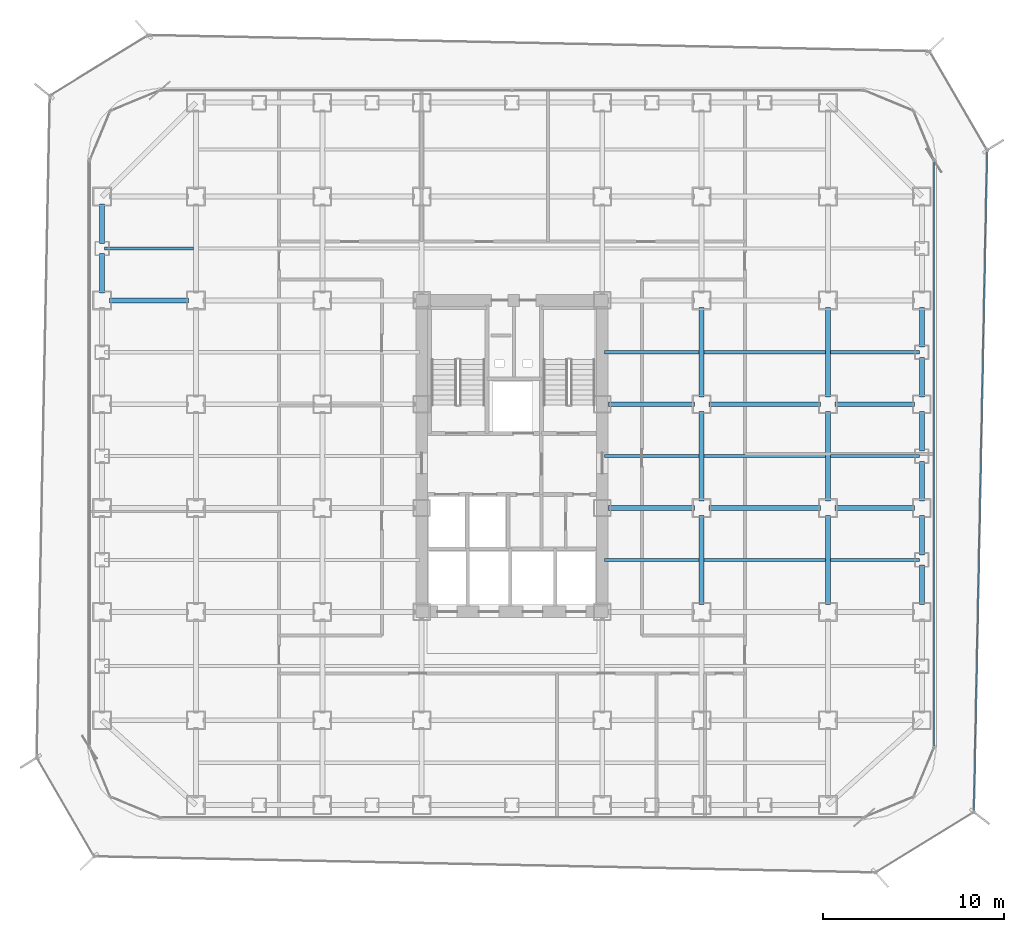
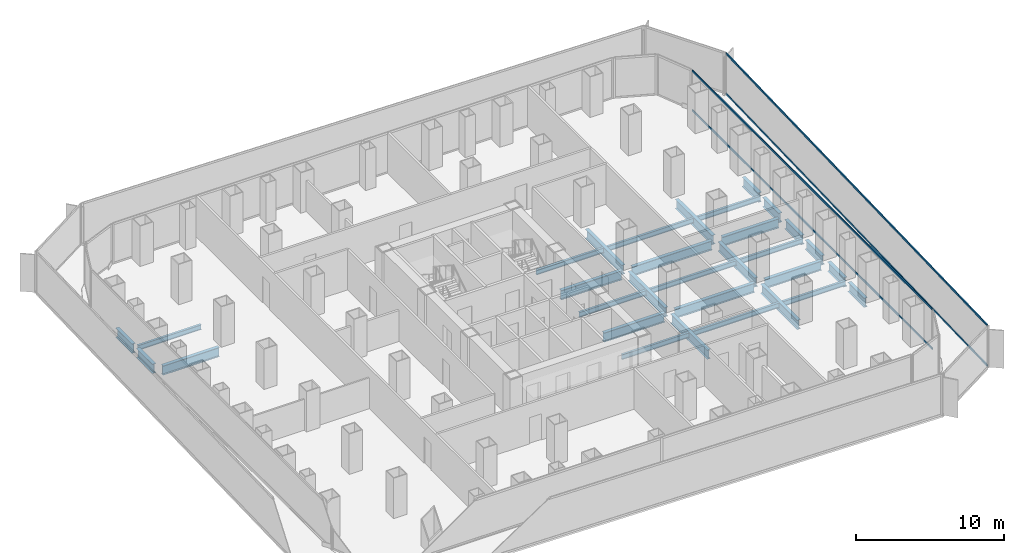
# One storey, part 9 of 21: 31 beams, 4 members, 2 elements without a shape of their own.
"""IFC4 building model written with IfcOpenShell, lengths in metres."""

from ifc_helpers import new_model, si_unit, direction, frame, origin, origin_2d, place, context, subcontext, project, spatial, hollow_rectangle, i_section, extrude, source, transform, mapped, material, layer, layer_set, material_profile, profile_set, type_object, element, aggregate, save


model = new_model("IFC4")

# Units and contexts
model_context = context("Model", 3, precision=1e-05, world=origin(), true_north=direction((0.0, 1.0)))
body_context = subcontext(model_context, "Body", "Model", "MODEL_VIEW")
ifc_project = project(units=[si_unit("LENGTHUNIT", "METRE"), si_unit("AREAUNIT", "SQUARE_METRE"), si_unit("VOLUMEUNIT", "CUBIC_METRE"), si_unit("PLANEANGLEUNIT", "RADIAN"), si_unit("MASSUNIT", "GRAM", prefix="KILO")], contexts=[model_context])

# Site, building, storey
site_placement = place(None, origin())
site = spatial("IfcSite", under=ifc_project, at=site_placement, CompositionType="ELEMENT")
building_placement = place(site_placement, origin())
building = spatial("IfcBuilding", under=site, at=building_placement, Name="Kolveth Station Tower", CompositionType="ELEMENT")
storey_placement = place(building_placement, frame((0.0, 0.0, 44.10009765625)))
storey = spatial("IfcBuildingStorey", under=building, at=storey_placement, Name="L11", CompositionType="ELEMENT", Elevation=44.10009765625)

# Beams
ifc_material_1 = material(Name="Steel S355", Category="steel")
ifc_material_profile_1 = material_profile(ifc_material_1, i_section(OverallWidth=0.26904296875, OverallDepth=0.77490234375, WebThickness=0.01708984375, FlangeThickness=0.0283203125, at=origin_2d()), Name="W760x220")
ifc_profile_set_1 = profile_set([ifc_material_profile_1], Name="Steel S355")
beam_type_1 = type_object("IfcBeamType", Name="Beam_SP1", PredefinedType="SPANDREL", material=ifc_profile_set_1)
shared_shape_1 = source(origin(), body_context, "Body", "SweptSolid", [
    extrude(i_section(OverallWidth=0.26904296875, OverallDepth=0.77490234375, WebThickness=0.01708984375, FlangeThickness=0.0283203125, at=origin_2d()), origin(), (0.0, 0.0, 1.0), 2.2001953125),
])
for number, where, z_axis, x_axis, name in (
    (1, (0.800048828125, 31.89990234375, -0.66748046875), (0.0, 1.0, 0.0), (-1.0, 0.0, 0.0), "L11 Perimeter Spandrel BM-L11-PW-10"),
    (2, (46.199951171875, 11.89990234375, -0.66748046875), (0.0, 1.0, 0.0), (-1.0, 0.0, 0.0), "L11 Perimeter Spandrel BM-L11-PE-3"),
    (3, (46.199951171875, 20.39990234375, -0.66748046875), (0.0, 1.0, 0.0), (-1.0, 0.0, 0.0), "L11 Perimeter Spandrel BM-L11-PE-6"),
    (4, (46.199951171875, 23.39990234375, -0.66748046875), (0.0, 1.0, 0.0), (-1.0, 0.0, 0.0), "L11 Perimeter Spandrel BM-L11-PE-7"),
):
    element("IfcBeam", number, at=place(storey_placement, frame(where, z_axis=z_axis, x_axis=x_axis)), inside=storey, type_object=beam_type_1, Name=name, PredefinedType="SPANDREL", context=body_context, shape_type="MappedRepresentation", body=[
        mapped(shared_shape_1, transform((0.0, 0.0, 0.0), x_axis=(1.0, 0.0, 0.0), y_axis=(0.0, 1.0, 0.0), z_axis=(0.0, 0.0, 1.0), scale=1.0)),
    ])
shared_shape_2 = source(origin(), body_context, "Body", "SweptSolid", [
    extrude(i_section(OverallWidth=0.26904296875, OverallDepth=0.77490234375, WebThickness=0.01708984375, FlangeThickness=0.0283203125, at=origin_2d()), origin(), (0.0, 0.0, 1.0), 2.190185546875),
])
for number, where, z_axis, x_axis, name in (
    (5, (0.800048828125, 29.14990234375, -0.66748046875), (0.0, 1.0, 0.0), (-1.0, 0.0, 0.0), "L11 Perimeter Spandrel BM-L11-PW-9"),
    (6, (46.199951171875, 14.659912109375, -0.66748046875), (0.0, 1.0, 0.0), (-1.0, 0.0, 0.0), "L11 Perimeter Spandrel BM-L11-PE-4"),
    (7, (46.199951171875, 17.64990234375, -0.66748046875), (0.0, 1.0, 0.0), (-1.0, 0.0, 0.0), "L11 Perimeter Spandrel BM-L11-PE-5"),
    (8, (46.199951171875, 26.159912109375, -0.66748046875), (0.0, 1.0, 0.0), (-1.0, 0.0, 0.0), "L11 Perimeter Spandrel BM-L11-PE-8"),
):
    element("IfcBeam", number, at=place(storey_placement, frame(where, z_axis=z_axis, x_axis=x_axis)), inside=storey, type_object=beam_type_1, Name=name, PredefinedType="SPANDREL", context=body_context, shape_type="MappedRepresentation", body=[
        mapped(shared_shape_2, transform((0.0, 0.0, 0.0), x_axis=(1.0, 0.0, 0.0), y_axis=(0.0, 1.0, 0.0), z_axis=(0.0, 0.0, 1.0), scale=1.0)),
    ])
ifc_material_profile_2 = material_profile(ifc_material_1, i_section(OverallWidth=0.26708984375, OverallDepth=0.76611328125, WebThickness=0.014892578125, FlangeThickness=0.023681640625, at=origin_2d()), Name="W760x185")
ifc_profile_set_2 = profile_set([ifc_material_profile_2], Name="Steel S355")
beam_type_2 = type_object("IfcBeamType", Name="Beam_B3", PredefinedType="BEAM", material=ifc_profile_set_2)
shared_shape_3 = source(origin(), body_context, "Body", "SweptSolid", [
    extrude(i_section(OverallWidth=0.26708984375, OverallDepth=0.76611328125, WebThickness=0.014892578125, FlangeThickness=0.023681640625, at=origin_2d()), origin(), (0.0, 0.0, 1.0), 4.400146484375),
])
for number, where, z_axis, x_axis, name in (
    (9, (41.39990234375, 17.25, -0.6630859375), (1.0, 0.0, 0.0), (0.0, 1.0, 0.0), "L11 Primary Girder BM-L11-GY172-7"),
    (10, (41.39990234375, 23.0, -0.6630859375), (1.0, 0.0, 0.0), (0.0, 1.0, 0.0), "L11 Primary Girder BM-L11-GY230-7"),
    (11, (1.199951171875, 28.75, -0.6630859375), (1.0, 0.0, 0.0), (0.0, 1.0, 0.0), "L11 Primary Girder BM-L11-GY287-1"),
):
    element("IfcBeam", number, at=place(storey_placement, frame(where, z_axis=z_axis, x_axis=x_axis)), inside=storey, type_object=beam_type_2, Name=name, PredefinedType="BEAM", context=body_context, shape_type="MappedRepresentation", body=[
        mapped(shared_shape_3, transform((0.0, 0.0, 0.0), x_axis=(1.0, 0.0, 0.0), y_axis=(0.0, 1.0, 0.0), z_axis=(0.0, 0.0, 1.0), scale=1.0)),
    ])
shared_shape_4 = source(origin(), body_context, "Body", "SweptSolid", [
    extrude(i_section(OverallWidth=0.26708984375, OverallDepth=0.76611328125, WebThickness=0.014892578125, FlangeThickness=0.023681640625, at=origin_2d()), origin(), (0.0, 0.0, 1.0), 6.2001953125),
])
for number, where, z_axis, x_axis, name in (
    (12, (34.39990234375, 17.25, -0.6630859375), (1.0, 0.0, 0.0), (0.0, 1.0, 0.0), "L11 Primary Girder BM-L11-GY172-6"),
    (13, (34.39990234375, 23.0, -0.6630859375), (1.0, 0.0, 0.0), (0.0, 1.0, 0.0), "L11 Primary Girder BM-L11-GY230-6"),
):
    element("IfcBeam", number, at=place(storey_placement, frame(where, z_axis=z_axis, x_axis=x_axis)), inside=storey, type_object=beam_type_2, Name=name, PredefinedType="BEAM", context=body_context, shape_type="MappedRepresentation", body=[
        mapped(shared_shape_4, transform((0.0, 0.0, 0.0), x_axis=(1.0, 0.0, 0.0), y_axis=(0.0, 1.0, 0.0), z_axis=(0.0, 0.0, 1.0), scale=1.0)),
    ])
shared_shape_5 = source(origin(), body_context, "Body", "SweptSolid", [
    extrude(i_section(OverallWidth=0.26708984375, OverallDepth=0.76611328125, WebThickness=0.014892578125, FlangeThickness=0.023681640625, at=origin_2d()), origin(), (0.0, 0.0, 1.0), 4.739990234375),
])
for number, where, z_axis, x_axis, name in (
    (14, (28.860107421875, 17.25, -0.6630859375), (1.0, 0.0, 0.0), (0.0, 1.0, 0.0), "L11 Primary Girder BM-L11-GY172-5"),
    (15, (28.860107421875, 23.0, -0.6630859375), (1.0, 0.0, 0.0), (0.0, 1.0, 0.0), "L11 Primary Girder BM-L11-GY230-5"),
):
    element("IfcBeam", number, at=place(storey_placement, frame(where, z_axis=z_axis, x_axis=x_axis)), inside=storey, type_object=beam_type_2, Name=name, PredefinedType="BEAM", context=body_context, shape_type="MappedRepresentation", body=[
        mapped(shared_shape_5, transform((0.0, 0.0, 0.0), x_axis=(1.0, 0.0, 0.0), y_axis=(0.0, 1.0, 0.0), z_axis=(0.0, 0.0, 1.0), scale=1.0)),
    ])
shared_shape_6 = source(origin(), body_context, "Body", "SweptSolid", [
    extrude(i_section(OverallWidth=0.26708984375, OverallDepth=0.76611328125, WebThickness=0.014892578125, FlangeThickness=0.023681640625, at=origin_2d()), origin(), (0.0, 0.0, 1.0), 4.9501953125),
])
for number, where, z_axis, x_axis, name in (
    (16, (34.0, 11.89990234375, -0.6630859375), (0.0, 1.0, 0.0), (-1.0, 0.0, 0.0), "L11 Primary Girder BM-L11-GX340-3"),
    (17, (34.0, 17.64990234375, -0.6630859375), (0.0, 1.0, 0.0), (-1.0, 0.0, 0.0), "L11 Primary Girder BM-L11-GX340-4"),
    (18, (34.0, 23.39990234375, -0.6630859375), (0.0, 1.0, 0.0), (-1.0, 0.0, 0.0), "L11 Primary Girder BM-L11-GX340-5"),
    (19, (41.0, 11.89990234375, -0.6630859375), (0.0, 1.0, 0.0), (-1.0, 0.0, 0.0), "L11 Primary Girder BM-L11-GX410-3"),
    (20, (41.0, 17.64990234375, -0.6630859375), (0.0, 1.0, 0.0), (-1.0, 0.0, 0.0), "L11 Primary Girder BM-L11-GX410-4"),
    (21, (41.0, 23.39990234375, -0.6630859375), (0.0, 1.0, 0.0), (-1.0, 0.0, 0.0), "L11 Primary Girder BM-L11-GX410-5"),
):
    element("IfcBeam", number, at=place(storey_placement, frame(where, z_axis=z_axis, x_axis=x_axis)), inside=storey, type_object=beam_type_2, Name=name, PredefinedType="BEAM", context=body_context, shape_type="MappedRepresentation", body=[
        mapped(shared_shape_6, transform((0.0, 0.0, 0.0), x_axis=(1.0, 0.0, 0.0), y_axis=(0.0, 1.0, 0.0), z_axis=(0.0, 0.0, 1.0), scale=1.0)),
    ])
ifc_material_profile_3 = material_profile(ifc_material_1, i_section(OverallWidth=0.177978515625, OverallDepth=0.406982421875, WebThickness=0.0078125, FlangeThickness=0.0126953125, at=origin_2d()), Name="W410x60")
ifc_profile_set_3 = profile_set([ifc_material_profile_3], Name="Steel S355")
beam_type_3 = type_object("IfcBeamType", Name="Beam_J1", PredefinedType="JOIST", material=ifc_profile_set_3)
shared_shape_7 = source(origin(), body_context, "Body", "SweptSolid", [
    extrude(i_section(OverallWidth=0.177978515625, OverallDepth=0.406982421875, WebThickness=0.0078125, FlangeThickness=0.0126953125, at=origin_2d()), origin(), (0.0, 0.0, 1.0), 4.935791015625),
])
for number, where, z_axis, x_axis, name in (
    (22, (0.9326171875, 31.625, -0.483642578125), (1.0, 0.0, 0.0), (0.0, 1.0, 0.0), "L11 Secondary Joist JST-L11-1-6"),
    (23, (41.131591796875, 14.375, -0.483642578125), (1.0, 0.0, 0.0), (0.0, 1.0, 0.0), "L11 Secondary Joist JST-L11-7-3"),
    (24, (41.131591796875, 20.125, -0.483642578125), (1.0, 0.0, 0.0), (0.0, 1.0, 0.0), "L11 Secondary Joist JST-L11-7-4"),
    (25, (41.131591796875, 25.875, -0.483642578125), (1.0, 0.0, 0.0), (0.0, 1.0, 0.0), "L11 Secondary Joist JST-L11-7-5"),
):
    element("IfcBeam", number, at=place(storey_placement, frame(where, z_axis=z_axis, x_axis=x_axis)), inside=storey, type_object=beam_type_3, Name=name, PredefinedType="JOIST", context=body_context, shape_type="MappedRepresentation", body=[
        mapped(shared_shape_7, transform((0.0, 0.0, 0.0), x_axis=(1.0, 0.0, 0.0), y_axis=(0.0, 1.0, 0.0), z_axis=(0.0, 0.0, 1.0), scale=1.0)),
    ])
shared_shape_8 = source(origin(), body_context, "Body", "SweptSolid", [
    extrude(i_section(OverallWidth=0.177978515625, OverallDepth=0.406982421875, WebThickness=0.0078125, FlangeThickness=0.0126953125, at=origin_2d()), origin(), (0.0, 0.0, 1.0), 6.73681640625),
])
for number, where, z_axis, x_axis, name in (
    (26, (34.131591796875, 14.375, -0.483642578125), (1.0, 0.0, 0.0), (0.0, 1.0, 0.0), "L11 Secondary Joist JST-L11-6-3"),
    (27, (34.131591796875, 20.125, -0.483642578125), (1.0, 0.0, 0.0), (0.0, 1.0, 0.0), "L11 Secondary Joist JST-L11-6-4"),
    (28, (34.131591796875, 25.875, -0.483642578125), (1.0, 0.0, 0.0), (0.0, 1.0, 0.0), "L11 Secondary Joist JST-L11-6-5"),
):
    element("IfcBeam", number, at=place(storey_placement, frame(where, z_axis=z_axis, x_axis=x_axis)), inside=storey, type_object=beam_type_3, Name=name, PredefinedType="JOIST", context=body_context, shape_type="MappedRepresentation", body=[
        mapped(shared_shape_8, transform((0.0, 0.0, 0.0), x_axis=(1.0, 0.0, 0.0), y_axis=(0.0, 1.0, 0.0), z_axis=(0.0, 0.0, 1.0), scale=1.0)),
    ])
shared_shape_9 = source(origin(), body_context, "Body", "SweptSolid", [
    extrude(i_section(OverallWidth=0.177978515625, OverallDepth=0.406982421875, WebThickness=0.0078125, FlangeThickness=0.0126953125, at=origin_2d()), origin(), (0.0, 0.0, 1.0), 5.23681640625),
])
for number, where, z_axis, x_axis, name in (
    (29, (28.631591796875, 14.375, -0.483642578125), (1.0, 0.0, 0.0), (0.0, 1.0, 0.0), "L11 Secondary Joist JST-L11-5-3"),
    (30, (28.631591796875, 20.125, -0.483642578125), (1.0, 0.0, 0.0), (0.0, 1.0, 0.0), "L11 Secondary Joist JST-L11-5-4"),
    (31, (28.631591796875, 25.875, -0.483642578125), (1.0, 0.0, 0.0), (0.0, 1.0, 0.0), "L11 Secondary Joist JST-L11-5-5"),
):
    element("IfcBeam", number, at=place(storey_placement, frame(where, z_axis=z_axis, x_axis=x_axis)), inside=storey, type_object=beam_type_3, Name=name, PredefinedType="JOIST", context=body_context, shape_type="MappedRepresentation", body=[
        mapped(shared_shape_9, transform((0.0, 0.0, 0.0), x_axis=(1.0, 0.0, 0.0), y_axis=(0.0, 1.0, 0.0), z_axis=(0.0, 0.0, 1.0), scale=1.0)),
    ])

# Curtain wall, members
ifc_material_2 = material(Name="Aluminium 6063-T6 and low-E dark glass", Category="aluminium")
ifc_layer_1 = layer(ifc_material_2, 0.179931640625)
ifc_layer_set_1 = layer_set([ifc_layer_1], Name="Aluminium 6063-T6 and low-E dark glass")
curtain_wall_type_1 = type_object("IfcCurtainWallType", Name="CurtainWall_CW-Z1", PredefinedType="NOTDEFINED", material=ifc_layer_set_1)
curtain_wall_1_placement = place(storey_placement, origin())
curtain_wall_1 = element("IfcCurtainWall", 32, at=curtain_wall_1_placement, inside=storey, type_object=curtain_wall_type_1, Name="L11 Inner Thermal Curtain Wall 3", PredefinedType="NOTDEFINED")
ifc_material_3 = material(Name="Black anodized aluminium 6063-T6", Category="aluminium")
ifc_material_profile_4 = material_profile(ifc_material_3, hollow_rectangle(XDim=0.074951171875, YDim=0.159912109375, WallThickness=0.0048828125, at=origin_2d()), Name="ALU-75x160x5")
ifc_profile_set_4 = profile_set([ifc_material_profile_4], Name="Black anodized aluminium 6063-T6")
member_type_1 = type_object("IfcMemberType", Name="Transom_TR1", PredefinedType="USERDEFINED", material=ifc_profile_set_4)
shared_shape_10 = source(origin(), body_context, "Body", "SweptSolid", [
    extrude(hollow_rectangle(XDim=0.074951171875, YDim=0.159912109375, WallThickness=0.0048828125, at=origin_2d()), origin(), (0.0, 0.0, 1.0), 32.35009765625),
])
member_1_placement = place(storey_placement, frame((46.8798828125, 4.074951171875, 0.037353515625), z_axis=(0.0, 1.0, 0.0), x_axis=(-1.0, 0.0, 0.0)))
member_1 = element("IfcMember", 33, at=member_1_placement, type_object=member_type_1, Name="CW-Z1 transom 1.1", ObjectType="TRANSOM", PredefinedType="USERDEFINED", context=body_context, shape_type="MappedRepresentation", body=[
    mapped(shared_shape_10, transform((0.0, 0.0, 0.0), x_axis=(1.0, 0.0, 0.0), y_axis=(0.0, 1.0, 0.0), z_axis=(0.0, 0.0, 1.0), scale=1.0)),
])
member_2_placement = place(storey_placement, frame((46.8798828125, 4.074951171875, 3.282470703125), z_axis=(0.0, 1.0, 0.0), x_axis=(-1.0, 0.0, 0.0)))
member_2 = element("IfcMember", 34, at=member_2_placement, type_object=member_type_1, Name="CW-Z1 transom 1.2", ObjectType="TRANSOM", PredefinedType="USERDEFINED", context=body_context, shape_type="MappedRepresentation", body=[
    mapped(shared_shape_10, transform((0.0, 0.0, 0.0), x_axis=(1.0, 0.0, 0.0), y_axis=(0.0, 1.0, 0.0), z_axis=(0.0, 0.0, 1.0), scale=1.0)),
])
aggregate(curtain_wall_1, [member_1, member_2])

ifc_material_4 = material(Name="Black anodized aluminium 6063-T6 and dark solar glass", Category="aluminium")
ifc_layer_2 = layer(ifc_material_4, 0.159912109375)
ifc_layer_set_2 = layer_set([ifc_layer_2], Name="Black anodized aluminium 6063-T6 and dark solar glass")
curtain_wall_type_2 = type_object("IfcCurtainWallType", Name="OUTER SKIN CW-OS", PredefinedType="NOTDEFINED", material=ifc_layer_set_2)
curtain_wall_2_placement = place(storey_placement, origin())
curtain_wall_2 = element("IfcCurtainWall", 35, at=curtain_wall_2_placement, inside=storey, type_object=curtain_wall_type_2, Name="L11 Outer Ventilated Skin Curtain Wall 2", PredefinedType="NOTDEFINED")
ifc_material_profile_5 = material_profile(ifc_material_3, hollow_rectangle(XDim=0.080078125, YDim=0.14990234375, WallThickness=0.0048828125, at=origin_2d()), Name="ALU-80x150x5")
ifc_profile_set_5 = profile_set([ifc_material_profile_5], Name="Black anodized aluminium 6063-T6")
member_type_2 = type_object("IfcMemberType", Name="Transom_TR-OS", PredefinedType="USERDEFINED", material=ifc_profile_set_5)
shared_shape_11 = source(origin(), body_context, "Body", "SweptSolid", [
    extrude(hollow_rectangle(XDim=0.080078125, YDim=0.14990234375, WallThickness=0.0048828125, at=origin_2d()), origin(), (0.0, 0.0, 1.0), 36.4765625),
])
member_3_placement = place(storey_placement, frame((49.090576171875, 0.50439453125, 0.039794921875), z_axis=(0.019978873737, 0.999800402382, 0.0), x_axis=(-0.999800402382, 0.019978873737, 0.0)))
member_3 = element("IfcMember", 36, at=member_3_placement, type_object=member_type_2, Name="CW-OS transom 1.1", ObjectType="TRANSOM", PredefinedType="USERDEFINED", context=body_context, shape_type="MappedRepresentation", body=[
    mapped(shared_shape_11, transform((0.0, 0.0, 0.0), x_axis=(1.0, 0.0, 0.0), y_axis=(0.0, 1.0, 0.0), z_axis=(0.0, 0.0, 1.0), scale=1.0)),
])
member_4_placement = place(storey_placement, frame((49.090576171875, 0.50439453125, 3.349853515625), z_axis=(0.019978873737, 0.999800402382, 0.0), x_axis=(-0.999800402382, 0.019978873737, 0.0)))
member_4 = element("IfcMember", 37, at=member_4_placement, type_object=member_type_2, Name="CW-OS transom 1.2", ObjectType="TRANSOM", PredefinedType="USERDEFINED", context=body_context, shape_type="MappedRepresentation", body=[
    mapped(shared_shape_11, transform((0.0, 0.0, 0.0), x_axis=(1.0, 0.0, 0.0), y_axis=(0.0, 1.0, 0.0), z_axis=(0.0, 0.0, 1.0), scale=1.0)),
])
aggregate(curtain_wall_2, [member_3, member_4])

save(model, "model.ifc")
